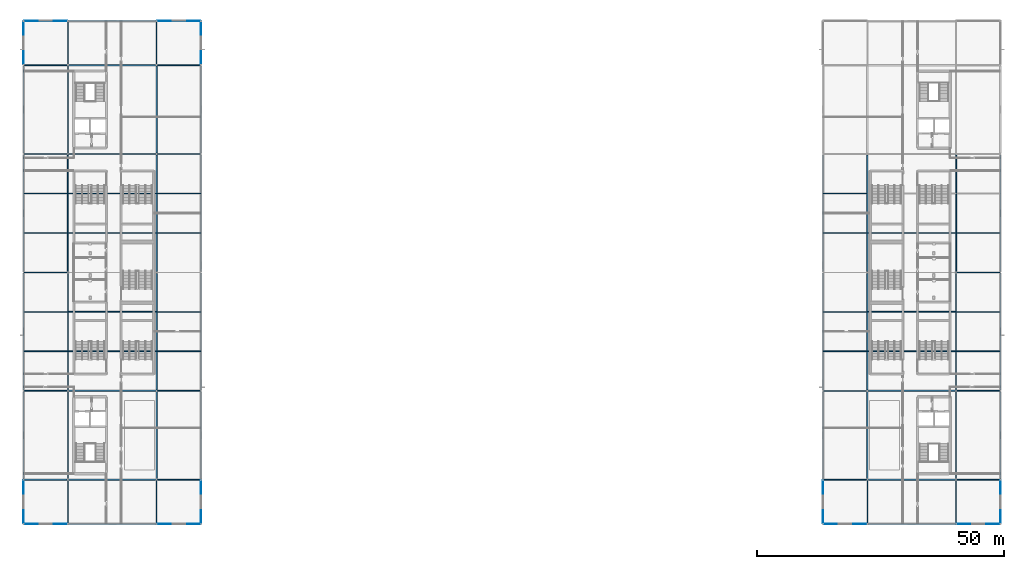
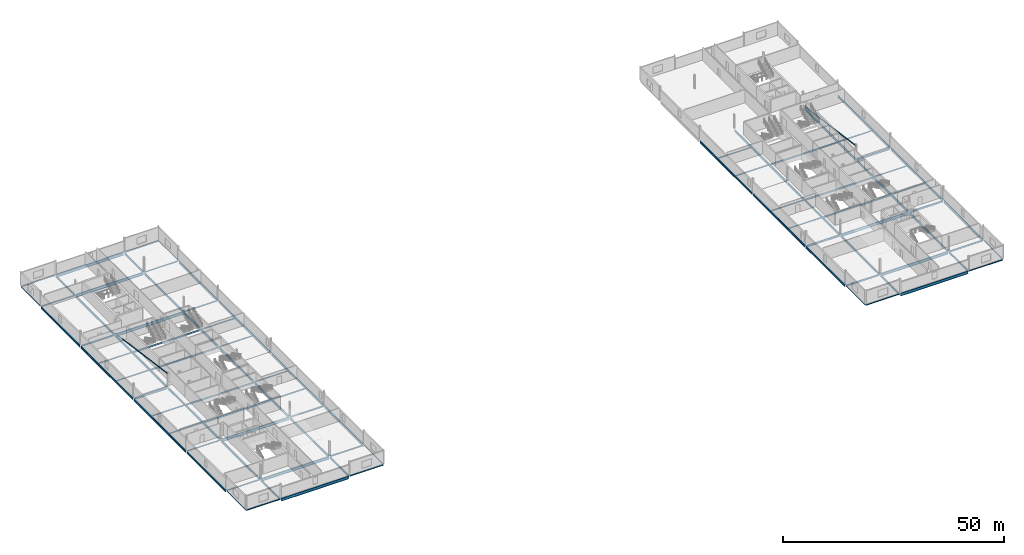
# One storey, part 12 of 31: 91 beams, 2 members.
"""IFC4 building model written with IfcOpenShell, lengths in metres."""

from ifc_helpers import new_model, si_unit, direction, frame, origin, origin_2d, place, context, subcontext, project, spatial, hollow_rectangle, hollow_circle, i_section, extrude, material, material_profile, profile_set, type_object, element, save


model = new_model("IFC4")

# Units and contexts
model_context = context("Model", 3, precision=1e-05, world=origin(), true_north=direction((0.0, 1.0)))
body_context = subcontext(model_context, "Body", "Model", "MODEL_VIEW")
ifc_project = project(units=[si_unit("LENGTHUNIT", "METRE"), si_unit("AREAUNIT", "SQUARE_METRE"), si_unit("VOLUMEUNIT", "CUBIC_METRE"), si_unit("PLANEANGLEUNIT", "RADIAN"), si_unit("MASSUNIT", "GRAM", prefix="KILO")], contexts=[model_context])

# Site, building, storey
site_placement = place(None, origin())
site = spatial("IfcSite", under=ifc_project, at=site_placement, CompositionType="ELEMENT")
building_placement = place(site_placement, origin())
building = spatial("IfcBuilding", under=site, at=building_placement, Name="Kisiwana Market Hall", CompositionType="ELEMENT")
storey_placement = place(building_placement, frame((0.0, 0.0, 45.60009765625)))
storey = spatial("IfcBuildingStorey", under=building, at=storey_placement, Name="L10", CompositionType="ELEMENT", Elevation=45.60009765625)

# Beams
ifc_material_1 = material(Name="Steel S355", Category="steel")
ifc_material_profile_1 = material_profile(ifc_material_1, i_section(OverallWidth=0.260009765625, OverallDepth=0.260009765625, WebThickness=0.010009765625, FlangeThickness=0.017578125, FilletRadius=0.02392578125, at=origin_2d()), Name="HEB 260")
ifc_profile_set_1 = profile_set([ifc_material_profile_1], Name="Steel S355")
beam_type_1 = type_object("IfcBeamType", Name="BM-GIRD-HEB260", PredefinedType="BEAM", material=ifc_profile_set_1)
beam_1_placement = place(storey_placement, frame((0.150634765625, 18.0, -0.375), z_axis=(1.0, 0.0, 0.0), x_axis=(0.0, 1.0, 0.0)))
element("IfcBeam", 1, at=beam_1_placement, inside=storey, type_object=beam_type_1, Name="Floor beam B-2390", PredefinedType="BEAM", context=body_context, shape_type="SweptSolid", body=[
    extrude(i_section(OverallWidth=0.260009765625, OverallDepth=0.260009765625, WebThickness=0.010009765625, FlangeThickness=0.017578125, FilletRadius=0.02392578125, at=origin_2d()), origin(), (0.0, 0.0, 1.0), 8.696044921875),
])
ifc_material_2 = material(Name="Steel S355", Category="steel")
ifc_material_profile_2 = material_profile(ifc_material_2, i_section(OverallWidth=0.199951171875, OverallDepth=0.5, WebThickness=0.01025390625, FlangeThickness=0.01611328125, FilletRadius=0.02099609375, at=origin_2d()), Name="IPE 500")
ifc_profile_set_2 = profile_set([ifc_material_profile_2], Name="Steel S355")
beam_type_2 = type_object("IfcBeamType", Name="BM-GIRD-IPE500", PredefinedType="BEAM", material=ifc_profile_set_2)
beam_2_placement = place(storey_placement, frame((189.1533203125, 36.0, -0.4951171875), z_axis=(1.0, 0.0, 0.0), x_axis=(0.0, 1.0, 0.0)))
element("IfcBeam", 2, at=beam_2_placement, inside=storey, type_object=beam_type_2, Name="Floor beam B-2401", PredefinedType="BEAM", context=body_context, shape_type="SweptSolid", body=[
    extrude(i_section(OverallWidth=0.199951171875, OverallDepth=0.5, WebThickness=0.01025390625, FlangeThickness=0.01611328125, FilletRadius=0.02099609375, at=origin_2d()), origin(), (0.0, 0.0, 1.0), 8.696044921875),
])
ifc_material_3 = material(Name="Steel S355", Category="steel")
ifc_material_profile_3 = material_profile(ifc_material_3, i_section(OverallWidth=0.19140625, OverallDepth=0.4599609375, WebThickness=0.010009765625, FlangeThickness=0.01611328125, at=origin_2d()), Name="UB 457x191x82")
ifc_profile_set_3 = profile_set([ifc_material_profile_3], Name="Steel S355")
beam_type_3 = type_object("IfcBeamType", Name="BM-GIRD-UB082", PredefinedType="BEAM", material=ifc_profile_set_3)
beam_3_placement = place(storey_placement, frame((189.1533203125, 18.0, -0.47509765625), z_axis=(1.0, 0.0, 0.0), x_axis=(0.0, 1.0, 0.0)))
element("IfcBeam", 3, at=beam_3_placement, inside=storey, type_object=beam_type_3, Name="Floor beam B-2395", PredefinedType="BEAM", context=body_context, shape_type="SweptSolid", body=[
    extrude(i_section(OverallWidth=0.19140625, OverallDepth=0.4599609375, WebThickness=0.010009765625, FlangeThickness=0.01611328125, at=origin_2d()), origin(), (0.0, 0.0, 1.0), 8.696044921875),
])
ifc_material_4 = material(Name="Steel S355", Category="steel")
ifc_material_profile_4 = material_profile(ifc_material_4, i_section(OverallWidth=0.210693359375, OverallDepth=0.53955078125, WebThickness=0.01171875, FlangeThickness=0.018798828125, FilletRadius=0.0126953125, at=origin_2d()), Name="UB 533x210x109")
ifc_profile_set_4 = profile_set([ifc_material_profile_4], Name="Steel S355")
beam_type_4 = type_object("IfcBeamType", Name="BM-GIRD-UB109", PredefinedType="BEAM", material=ifc_profile_set_4)
beam_4_placement = place(storey_placement, frame((162.150634765625, 36.0, -0.514892578125), z_axis=(1.0, 0.0, 0.0), x_axis=(0.0, 1.0, 0.0)))
element("IfcBeam", 4, at=beam_4_placement, inside=storey, type_object=beam_type_4, Name="Floor beam B-2399", PredefinedType="BEAM", context=body_context, shape_type="SweptSolid", body=[
    extrude(i_section(OverallWidth=0.210693359375, OverallDepth=0.53955078125, WebThickness=0.01171875, FlangeThickness=0.018798828125, FilletRadius=0.0126953125, at=origin_2d()), origin(), (0.0, 0.0, 1.0), 8.696044921875),
])
ifc_material_5 = material(Name="Steel S355", Category="steel")
ifc_material_profile_5 = material_profile(ifc_material_5, i_section(OverallWidth=0.19140625, OverallDepth=0.4599609375, WebThickness=0.010009765625, FlangeThickness=0.01611328125, at=origin_2d()), Name="UB 457x191x82")
ifc_profile_set_5 = profile_set([ifc_material_profile_5], Name="Steel S355")
beam_type_5 = type_object("IfcBeamType", Name="BM-GIRD-UB457H", PredefinedType="BEAM", material=ifc_profile_set_5)
beam_5_placement = place(storey_placement, frame((162.150634765625, 18.0, -0.47509765625), z_axis=(1.0, 0.0, 0.0), x_axis=(0.0, 1.0, 0.0)))
element("IfcBeam", 5, at=beam_5_placement, inside=storey, type_object=beam_type_5, Name="Floor beam B-2393", PredefinedType="BEAM", context=body_context, shape_type="SweptSolid", body=[
    extrude(i_section(OverallWidth=0.19140625, OverallDepth=0.4599609375, WebThickness=0.010009765625, FlangeThickness=0.01611328125, at=origin_2d()), origin(), (0.0, 0.0, 1.0), 8.696044921875),
])
ifc_material_6 = material(Name="Steel S355", Category="steel")
ifc_material_profile_6 = material_profile(ifc_material_6, i_section(OverallWidth=0.209228515625, OverallDepth=0.533203125, WebThickness=0.010009765625, FlangeThickness=0.015625, at=origin_2d()), Name="UB 533x210x92")
ifc_profile_set_6 = profile_set([ifc_material_profile_6], Name="Steel S355")
beam_type_6 = type_object("IfcBeamType", Name="BM-GIRD-UB533", PredefinedType="BEAM", material=ifc_profile_set_6)
for number, where, z_axis, x_axis, name in (
    (6, (0.150634765625, 60.0, -0.51171875), (1.0, 0.0, 0.0), (0.0, 1.0, 0.0), "Primary girder B-2334"),
    (7, (189.1533203125, 60.0, -0.51171875), (1.0, 0.0, 0.0), (0.0, 1.0, 0.0), "Primary girder B-2335"),
):
    element("IfcBeam", number, at=place(storey_placement, frame(where, z_axis=z_axis, x_axis=x_axis)), inside=storey, type_object=beam_type_6, Name=name, PredefinedType="BEAM", context=body_context, shape_type="SweptSolid", body=[
        extrude(i_section(OverallWidth=0.209228515625, OverallDepth=0.533203125, WebThickness=0.010009765625, FlangeThickness=0.015625, at=origin_2d()), origin(), (0.0, 0.0, 1.0), 8.696044921875),
    ])
for number, where, z_axis, x_axis, name in (
    (8, (9.0, 9.166015625, -0.51171875), (0.0, 1.0, 0.0), (-1.0, 0.0, 0.0), "Primary girder B-2336"),
    (9, (9.0, 102.166015625, -0.51171875), (0.0, 1.0, 0.0), (-1.0, 0.0, 0.0), "Primary girder B-2341"),
    (10, (27.0, 9.166015625, -0.51171875), (0.0, 1.0, 0.0), (-1.0, 0.0, 0.0), "Primary girder B-2342"),
    (11, (27.0, 102.166015625, -0.51171875), (0.0, 1.0, 0.0), (-1.0, 0.0, 0.0), "Primary girder B-2345"),
    (12, (171.0, 9.166015625, -0.51171875), (0.0, 1.0, 0.0), (-1.0, 0.0, 0.0), "Primary girder B-2350"),
    (13, (189.0, 9.166015625, -0.51171875), (0.0, 1.0, 0.0), (-1.0, 0.0, 0.0), "Primary girder B-2354"),
):
    element("IfcBeam", number, at=place(storey_placement, frame(where, z_axis=z_axis, x_axis=x_axis)), inside=storey, type_object=beam_type_6, Name=name, PredefinedType="BEAM", context=body_context, shape_type="SweptSolid", body=[
        extrude(i_section(OverallWidth=0.209228515625, OverallDepth=0.533203125, WebThickness=0.010009765625, FlangeThickness=0.015625, at=origin_2d()), origin(), (0.0, 0.0, 1.0), 8.66796875),
    ])
ifc_material_7 = material(Name="Steel S355", Category="steel")
ifc_material_profile_7 = material_profile(ifc_material_7, i_section(OverallWidth=0.22900390625, OverallDepth=0.6123046875, WebThickness=0.011962890625, FlangeThickness=0.01953125, at=origin_2d()), Name="UB 610x229x125")
ifc_profile_set_7 = profile_set([ifc_material_profile_7], Name="Steel S355")
beam_type_7 = type_object("IfcBeamType", Name="BM-GIRD-UB610H", PredefinedType="BEAM", material=ifc_profile_set_7)
beam_6_placement = place(storey_placement, frame((0.0, 18.15625, -0.55126953125), z_axis=(0.0, 1.0, 0.0), x_axis=(-1.0, 0.0, 0.0)))
element("IfcBeam", 14, at=beam_6_placement, inside=storey, type_object=beam_type_7, Name="Floor beam B-2421", PredefinedType="BEAM", context=body_context, shape_type="SweptSolid", body=[
    extrude(i_section(OverallWidth=0.22900390625, OverallDepth=0.6123046875, WebThickness=0.011962890625, FlangeThickness=0.01953125, at=origin_2d()), origin(), (0.0, 0.0, 1.0), 17.6875),
])
for number, where, z_axis, x_axis, name in (
    (15, (0.0, 36.15625, -0.55126953125), (0.0, 1.0, 0.0), (-1.0, 0.0, 0.0), "Floor beam B-2422"),
    (16, (0.0, 60.15625, -0.55126953125), (0.0, 1.0, 0.0), (-1.0, 0.0, 0.0), "Floor beam B-2423"),
):
    element("IfcBeam", number, at=place(storey_placement, frame(where, z_axis=z_axis, x_axis=x_axis)), inside=storey, type_object=beam_type_7, Name=name, PredefinedType="BEAM", context=body_context, shape_type="SweptSolid", body=[
        extrude(i_section(OverallWidth=0.22900390625, OverallDepth=0.6123046875, WebThickness=0.011962890625, FlangeThickness=0.01953125, at=origin_2d()), origin(), (0.0, 0.0, 1.0), 23.6875),
    ])
beam_7_placement = place(storey_placement, frame((0.0, 84.15625, -0.55126953125), z_axis=(0.0, 1.0, 0.0), x_axis=(-1.0, 0.0, 0.0)))
element("IfcBeam", 17, at=beam_7_placement, inside=storey, type_object=beam_type_7, Name="Floor beam B-2424", PredefinedType="BEAM", context=body_context, shape_type="SweptSolid", body=[
    extrude(i_section(OverallWidth=0.22900390625, OverallDepth=0.6123046875, WebThickness=0.011962890625, FlangeThickness=0.01953125, at=origin_2d()), origin(), (0.0, 0.0, 1.0), 17.6875),
])
for number, where, z_axis, x_axis, name in (
    (18, (27.0, 36.166015625, -0.55126953125), (0.0, 1.0, 0.0), (-1.0, 0.0, 0.0), "Floor beam B-2426"),
    (19, (27.0, 60.166015625, -0.55126953125), (0.0, 1.0, 0.0), (-1.0, 0.0, 0.0), "Floor beam B-2427"),
):
    element("IfcBeam", number, at=place(storey_placement, frame(where, z_axis=z_axis, x_axis=x_axis)), inside=storey, type_object=beam_type_7, Name=name, PredefinedType="BEAM", context=body_context, shape_type="SweptSolid", body=[
        extrude(i_section(OverallWidth=0.22900390625, OverallDepth=0.6123046875, WebThickness=0.011962890625, FlangeThickness=0.01953125, at=origin_2d()), origin(), (0.0, 0.0, 1.0), 23.66796875),
    ])
for number, where, z_axis, x_axis, name in (
    (20, (36.0, 18.15625, -0.55126953125), (0.0, 1.0, 0.0), (-1.0, 0.0, 0.0), "Floor beam B-2429"),
    (21, (36.0, 84.15625, -0.55126953125), (0.0, 1.0, 0.0), (-1.0, 0.0, 0.0), "Floor beam B-2430"),
    (22, (162.0, 18.15625, -0.55126953125), (0.0, 1.0, 0.0), (-1.0, 0.0, 0.0), "Floor beam B-2433"),
):
    element("IfcBeam", number, at=place(storey_placement, frame(where, z_axis=z_axis, x_axis=x_axis)), inside=storey, type_object=beam_type_7, Name=name, PredefinedType="BEAM", context=body_context, shape_type="SweptSolid", body=[
        extrude(i_section(OverallWidth=0.22900390625, OverallDepth=0.6123046875, WebThickness=0.011962890625, FlangeThickness=0.01953125, at=origin_2d()), origin(), (0.0, 0.0, 1.0), 17.6875),
    ])
for number, where, z_axis, x_axis, name in (
    (23, (171.0, 36.166015625, -0.55126953125), (0.0, 1.0, 0.0), (-1.0, 0.0, 0.0), "Floor beam B-2436"),
    (24, (171.0, 60.166015625, -0.55126953125), (0.0, 1.0, 0.0), (-1.0, 0.0, 0.0), "Floor beam B-2437"),
):
    element("IfcBeam", number, at=place(storey_placement, frame(where, z_axis=z_axis, x_axis=x_axis)), inside=storey, type_object=beam_type_7, Name=name, PredefinedType="BEAM", context=body_context, shape_type="SweptSolid", body=[
        extrude(i_section(OverallWidth=0.22900390625, OverallDepth=0.6123046875, WebThickness=0.011962890625, FlangeThickness=0.01953125, at=origin_2d()), origin(), (0.0, 0.0, 1.0), 23.66796875),
    ])
beam_8_placement = place(storey_placement, frame((198.0, 18.15625, -0.55126953125), z_axis=(0.0, 1.0, 0.0), x_axis=(-1.0, 0.0, 0.0)))
element("IfcBeam", 25, at=beam_8_placement, inside=storey, type_object=beam_type_7, Name="Floor beam B-2439", PredefinedType="BEAM", context=body_context, shape_type="SweptSolid", body=[
    extrude(i_section(OverallWidth=0.22900390625, OverallDepth=0.6123046875, WebThickness=0.011962890625, FlangeThickness=0.01953125, at=origin_2d()), origin(), (0.0, 0.0, 1.0), 17.6875),
])
for number, where, z_axis, x_axis, name in (
    (26, (198.0, 36.15625, -0.55126953125), (0.0, 1.0, 0.0), (-1.0, 0.0, 0.0), "Floor beam B-2440"),
    (27, (198.0, 60.15625, -0.55126953125), (0.0, 1.0, 0.0), (-1.0, 0.0, 0.0), "Floor beam B-2441"),
):
    element("IfcBeam", number, at=place(storey_placement, frame(where, z_axis=z_axis, x_axis=x_axis)), inside=storey, type_object=beam_type_7, Name=name, PredefinedType="BEAM", context=body_context, shape_type="SweptSolid", body=[
        extrude(i_section(OverallWidth=0.22900390625, OverallDepth=0.6123046875, WebThickness=0.011962890625, FlangeThickness=0.01953125, at=origin_2d()), origin(), (0.0, 0.0, 1.0), 23.6875),
    ])
beam_9_placement = place(storey_placement, frame((9.0, 18.166015625, -0.55126953125), z_axis=(0.0, 1.0, 0.0), x_axis=(-1.0, 0.0, 0.0)))
element("IfcBeam", 28, at=beam_9_placement, inside=storey, type_object=beam_type_7, Name="Primary girder B-2337", PredefinedType="BEAM", context=body_context, shape_type="SweptSolid", body=[
    extrude(i_section(OverallWidth=0.22900390625, OverallDepth=0.6123046875, WebThickness=0.011962890625, FlangeThickness=0.01953125, at=origin_2d()), origin(), (0.0, 0.0, 1.0), 17.66796875),
])
for number, where, z_axis, x_axis, name in (
    (29, (9.0, 36.166015625, -0.55126953125), (0.0, 1.0, 0.0), (-1.0, 0.0, 0.0), "Primary girder B-2338"),
    (30, (9.0, 60.166015625, -0.55126953125), (0.0, 1.0, 0.0), (-1.0, 0.0, 0.0), "Primary girder B-2339"),
):
    element("IfcBeam", number, at=place(storey_placement, frame(where, z_axis=z_axis, x_axis=x_axis)), inside=storey, type_object=beam_type_7, Name=name, PredefinedType="BEAM", context=body_context, shape_type="SweptSolid", body=[
        extrude(i_section(OverallWidth=0.22900390625, OverallDepth=0.6123046875, WebThickness=0.011962890625, FlangeThickness=0.01953125, at=origin_2d()), origin(), (0.0, 0.0, 1.0), 23.66796875),
    ])
for number, where, z_axis, x_axis, name in (
    (31, (9.0, 84.166015625, -0.55126953125), (0.0, 1.0, 0.0), (-1.0, 0.0, 0.0), "Primary girder B-2340"),
    (32, (27.0, 18.166015625, -0.55126953125), (0.0, 1.0, 0.0), (-1.0, 0.0, 0.0), "Primary girder B-2343"),
    (33, (27.0, 84.166015625, -0.55126953125), (0.0, 1.0, 0.0), (-1.0, 0.0, 0.0), "Primary girder B-2344"),
):
    element("IfcBeam", number, at=place(storey_placement, frame(where, z_axis=z_axis, x_axis=x_axis)), inside=storey, type_object=beam_type_7, Name=name, PredefinedType="BEAM", context=body_context, shape_type="SweptSolid", body=[
        extrude(i_section(OverallWidth=0.22900390625, OverallDepth=0.6123046875, WebThickness=0.011962890625, FlangeThickness=0.01953125, at=origin_2d()), origin(), (0.0, 0.0, 1.0), 17.66796875),
    ])
for number, where, z_axis, x_axis, name in (
    (34, (36.0, 36.15625, -0.55126953125), (0.0, 1.0, 0.0), (-1.0, 0.0, 0.0), "Primary girder B-2346"),
    (35, (36.0, 60.15625, -0.55126953125), (0.0, 1.0, 0.0), (-1.0, 0.0, 0.0), "Primary girder B-2347"),
    (36, (162.0, 36.15625, -0.55126953125), (0.0, 1.0, 0.0), (-1.0, 0.0, 0.0), "Primary girder B-2348"),
    (37, (162.0, 60.15625, -0.55126953125), (0.0, 1.0, 0.0), (-1.0, 0.0, 0.0), "Primary girder B-2349"),
):
    element("IfcBeam", number, at=place(storey_placement, frame(where, z_axis=z_axis, x_axis=x_axis)), inside=storey, type_object=beam_type_7, Name=name, PredefinedType="BEAM", context=body_context, shape_type="SweptSolid", body=[
        extrude(i_section(OverallWidth=0.22900390625, OverallDepth=0.6123046875, WebThickness=0.011962890625, FlangeThickness=0.01953125, at=origin_2d()), origin(), (0.0, 0.0, 1.0), 23.6875),
    ])
for number, where, z_axis, x_axis, name in (
    (38, (171.0, 18.166015625, -0.55126953125), (0.0, 1.0, 0.0), (-1.0, 0.0, 0.0), "Primary girder B-2351"),
    (39, (189.0, 18.166015625, -0.55126953125), (0.0, 1.0, 0.0), (-1.0, 0.0, 0.0), "Primary girder B-2355"),
):
    element("IfcBeam", number, at=place(storey_placement, frame(where, z_axis=z_axis, x_axis=x_axis)), inside=storey, type_object=beam_type_7, Name=name, PredefinedType="BEAM", context=body_context, shape_type="SweptSolid", body=[
        extrude(i_section(OverallWidth=0.22900390625, OverallDepth=0.6123046875, WebThickness=0.011962890625, FlangeThickness=0.01953125, at=origin_2d()), origin(), (0.0, 0.0, 1.0), 17.66796875),
    ])
for number, where, z_axis, x_axis, name in (
    (40, (189.0, 36.166015625, -0.55126953125), (0.0, 1.0, 0.0), (-1.0, 0.0, 0.0), "Primary girder B-2356"),
    (41, (189.0, 60.166015625, -0.55126953125), (0.0, 1.0, 0.0), (-1.0, 0.0, 0.0), "Primary girder B-2357"),
):
    element("IfcBeam", number, at=place(storey_placement, frame(where, z_axis=z_axis, x_axis=x_axis)), inside=storey, type_object=beam_type_7, Name=name, PredefinedType="BEAM", context=body_context, shape_type="SweptSolid", body=[
        extrude(i_section(OverallWidth=0.22900390625, OverallDepth=0.6123046875, WebThickness=0.011962890625, FlangeThickness=0.01953125, at=origin_2d()), origin(), (0.0, 0.0, 1.0), 23.66796875),
    ])
ifc_material_8 = material(Name="Steel S355", Category="steel")
ifc_material_profile_8 = material_profile(ifc_material_8, i_section(OverallWidth=0.2666015625, OverallDepth=0.76220703125, WebThickness=0.014404296875, FlangeThickness=0.021484375, at=origin_2d()), Name="UB 762x267x173")
ifc_profile_set_8 = profile_set([ifc_material_profile_8], Name="Steel S355")
beam_type_8 = type_object("IfcBeamType", Name="BM-GIRD-UB762", PredefinedType="BEAM", material=ifc_profile_set_8)
for number, where, z_axis, x_axis, name in (
    (42, (9.1533203125, 9.0, -0.626220703125), (1.0, 0.0, 0.0), (0.0, 1.0, 0.0), "Floor beam B-2385"),
    (43, (171.1533203125, 9.0, -0.626220703125), (1.0, 0.0, 0.0), (0.0, 1.0, 0.0), "Floor beam B-2388"),
    (44, (9.1533203125, 18.0, -0.626220703125), (1.0, 0.0, 0.0), (0.0, 1.0, 0.0), "Floor beam B-2391"),
    (45, (171.1533203125, 18.0, -0.626220703125), (1.0, 0.0, 0.0), (0.0, 1.0, 0.0), "Floor beam B-2394"),
    (46, (9.1533203125, 36.0, -0.626220703125), (1.0, 0.0, 0.0), (0.0, 1.0, 0.0), "Floor beam B-2397"),
    (47, (171.1533203125, 36.0, -0.626220703125), (1.0, 0.0, 0.0), (0.0, 1.0, 0.0), "Floor beam B-2400"),
    (48, (9.1533203125, 84.0, -0.626220703125), (1.0, 0.0, 0.0), (0.0, 1.0, 0.0), "Floor beam B-2403"),
    (49, (9.1533203125, 102.0, -0.626220703125), (1.0, 0.0, 0.0), (0.0, 1.0, 0.0), "Floor beam B-2409"),
    (50, (9.1533203125, 111.0, -0.626220703125), (1.0, 0.0, 0.0), (0.0, 1.0, 0.0), "Floor beam B-2415"),
):
    element("IfcBeam", number, at=place(storey_placement, frame(where, z_axis=z_axis, x_axis=x_axis)), inside=storey, type_object=beam_type_8, Name=name, PredefinedType="BEAM", context=body_context, shape_type="SweptSolid", body=[
        extrude(i_section(OverallWidth=0.2666015625, OverallDepth=0.76220703125, WebThickness=0.014404296875, FlangeThickness=0.021484375, at=origin_2d()), origin(), (0.0, 0.0, 1.0), 17.693359375),
    ])
ifc_material_9 = material(Name="Steel S355", Category="steel")
ifc_material_profile_9 = material_profile(ifc_material_9, i_section(OverallWidth=0.135009765625, OverallDepth=0.27001953125, WebThickness=0.006591796875, FlangeThickness=0.01025390625, FilletRadius=0.014892578125, at=origin_2d()), Name="IPE 270")
ifc_profile_set_9 = profile_set([ifc_material_profile_9], Name="Steel S355")
beam_type_9 = type_object("IfcBeamType", Name="BM-JOIST-IPE270", PredefinedType="JOIST", material=ifc_profile_set_9)
beam_10_placement = place(storey_placement, frame((27.1533203125, 18.0, -0.380126953125), z_axis=(1.0, 0.0, 0.0), x_axis=(0.0, 1.0, 0.0)))
element("IfcBeam", 51, at=beam_10_placement, inside=storey, type_object=beam_type_9, Name="Floor beam B-2392", PredefinedType="JOIST", context=body_context, shape_type="SweptSolid", body=[
    extrude(i_section(OverallWidth=0.135009765625, OverallDepth=0.27001953125, WebThickness=0.006591796875, FlangeThickness=0.01025390625, FilletRadius=0.014892578125, at=origin_2d()), origin(), (0.0, 0.0, 1.0), 8.696044921875),
])
ifc_material_10 = material(Name="Steel S355", Category="steel")
ifc_material_profile_10 = material_profile(ifc_material_10, i_section(OverallWidth=0.159912109375, OverallDepth=0.330078125, WebThickness=0.007568359375, FlangeThickness=0.011474609375, FilletRadius=0.01806640625, at=origin_2d()), Name="IPE 330")
ifc_profile_set_10 = profile_set([ifc_material_profile_10], Name="Steel S355")
beam_type_10 = type_object("IfcBeamType", Name="BM-JOIST-IPE330", PredefinedType="JOIST", material=ifc_profile_set_10)
beam_11_placement = place(storey_placement, frame((0.150634765625, 36.0, -0.41015625), z_axis=(1.0, 0.0, 0.0), x_axis=(0.0, 1.0, 0.0)))
element("IfcBeam", 52, at=beam_11_placement, inside=storey, type_object=beam_type_10, Name="Floor beam B-2396", PredefinedType="JOIST", context=body_context, shape_type="SweptSolid", body=[
    extrude(i_section(OverallWidth=0.159912109375, OverallDepth=0.330078125, WebThickness=0.007568359375, FlangeThickness=0.011474609375, FilletRadius=0.01806640625, at=origin_2d()), origin(), (0.0, 0.0, 1.0), 8.696044921875),
])
ifc_material_11 = material(Name="Steel S355", Category="steel")
ifc_material_profile_11 = material_profile(ifc_material_11, i_section(OverallWidth=0.1650390625, OverallDepth=0.303466796875, WebThickness=0.006103515625, FlangeThickness=0.01025390625, at=origin_2d()), Name="UB 305x165x40")
ifc_profile_set_11 = profile_set([ifc_material_profile_11], Name="Steel S355")
beam_type_11 = type_object("IfcBeamType", Name="BM-JOIST-UB040", PredefinedType="JOIST", material=ifc_profile_set_11)
beam_12_placement = place(storey_placement, frame((27.1533203125, 102.0, -0.396728515625), z_axis=(1.0, 0.0, 0.0), x_axis=(0.0, 1.0, 0.0)))
element("IfcBeam", 53, at=beam_12_placement, inside=storey, type_object=beam_type_11, Name="Floor beam B-2410", PredefinedType="JOIST", context=body_context, shape_type="SweptSolid", body=[
    extrude(i_section(OverallWidth=0.1650390625, OverallDepth=0.303466796875, WebThickness=0.006103515625, FlangeThickness=0.01025390625, at=origin_2d()), origin(), (0.0, 0.0, 1.0), 8.696044921875),
])
ifc_material_12 = material(Name="Steel S355", Category="steel")
ifc_material_profile_12 = material_profile(ifc_material_12, i_section(OverallWidth=0.1708984375, OverallDepth=0.351318359375, WebThickness=0.007080078125, FlangeThickness=0.009765625, FilletRadius=0.01025390625, at=origin_2d()), Name="UB 356x171x45")
ifc_profile_set_12 = profile_set([ifc_material_profile_12], Name="Steel S355")
beam_type_12 = type_object("IfcBeamType", Name="BM-JOIST-UB045", PredefinedType="JOIST", material=ifc_profile_set_12)
beam_13_placement = place(storey_placement, frame((0.150634765625, 102.0, -0.4208984375), z_axis=(1.0, 0.0, 0.0), x_axis=(0.0, 1.0, 0.0)))
element("IfcBeam", 54, at=beam_13_placement, inside=storey, type_object=beam_type_12, Name="Floor beam B-2408", PredefinedType="JOIST", context=body_context, shape_type="SweptSolid", body=[
    extrude(i_section(OverallWidth=0.1708984375, OverallDepth=0.351318359375, WebThickness=0.007080078125, FlangeThickness=0.009765625, FilletRadius=0.01025390625, at=origin_2d()), origin(), (0.0, 0.0, 1.0), 8.696044921875),
])
ifc_material_13 = material(Name="Steel S355", Category="steel")
ifc_material_profile_13 = material_profile(ifc_material_13, i_section(OverallWidth=0.177978515625, OverallDepth=0.406494140625, WebThickness=0.0078125, FlangeThickness=0.0126953125, FilletRadius=0.01025390625, at=origin_2d()), Name="UB 406x178x60")
ifc_profile_set_13 = profile_set([ifc_material_profile_13], Name="Steel S355")
beam_type_13 = type_object("IfcBeamType", Name="BM-JOIST-UB060", PredefinedType="JOIST", material=ifc_profile_set_13)
beam_14_placement = place(storey_placement, frame((0.150634765625, 84.0, -0.4482421875), z_axis=(1.0, 0.0, 0.0), x_axis=(0.0, 1.0, 0.0)))
element("IfcBeam", 55, at=beam_14_placement, inside=storey, type_object=beam_type_13, Name="Floor beam B-2402", PredefinedType="JOIST", context=body_context, shape_type="SweptSolid", body=[
    extrude(i_section(OverallWidth=0.177978515625, OverallDepth=0.406494140625, WebThickness=0.0078125, FlangeThickness=0.0126953125, FilletRadius=0.01025390625, at=origin_2d()), origin(), (0.0, 0.0, 1.0), 8.696044921875),
])
ifc_material_14 = material(Name="Steel S355", Category="steel")
ifc_material_profile_14 = material_profile(ifc_material_14, i_section(OverallWidth=0.165771484375, OverallDepth=0.306640625, WebThickness=0.006591796875, FlangeThickness=0.01171875, at=origin_2d()), Name="UB 305x165x46")
ifc_profile_set_14 = profile_set([ifc_material_profile_14], Name="Steel S355")
beam_type_14 = type_object("IfcBeamType", Name="BM-JOIST-UB305H", PredefinedType="JOIST", material=ifc_profile_set_14)
beam_15_placement = place(storey_placement, frame((27.1533203125, 84.0, -0.3984375), z_axis=(1.0, 0.0, 0.0), x_axis=(0.0, 1.0, 0.0)))
element("IfcBeam", 56, at=beam_15_placement, inside=storey, type_object=beam_type_14, Name="Floor beam B-2404", PredefinedType="JOIST", context=body_context, shape_type="SweptSolid", body=[
    extrude(i_section(OverallWidth=0.165771484375, OverallDepth=0.306640625, WebThickness=0.006591796875, FlangeThickness=0.01171875, at=origin_2d()), origin(), (0.0, 0.0, 1.0), 8.696044921875),
])
for number, where, z_axis, x_axis, name in (
    (57, (0.113525390625, 44.0, -0.3984375), (1.0, 0.0, 0.0), (0.0, 1.0, 0.0), "Secondary floor joist B-2360"),
    (58, (27.113525390625, 44.0, -0.3984375), (1.0, 0.0, 0.0), (0.0, 1.0, 0.0), "Secondary floor joist B-2362"),
    (59, (162.113525390625, 44.0, -0.3984375), (1.0, 0.0, 0.0), (0.0, 1.0, 0.0), "Secondary floor joist B-2363"),
    (60, (189.113525390625, 44.0, -0.3984375), (1.0, 0.0, 0.0), (0.0, 1.0, 0.0), "Secondary floor joist B-2365"),
    (61, (0.113525390625, 52.0, -0.3984375), (1.0, 0.0, 0.0), (0.0, 1.0, 0.0), "Secondary floor joist B-2366"),
    (62, (27.113525390625, 52.0, -0.3984375), (1.0, 0.0, 0.0), (0.0, 1.0, 0.0), "Secondary floor joist B-2368"),
    (63, (162.113525390625, 52.0, -0.3984375), (1.0, 0.0, 0.0), (0.0, 1.0, 0.0), "Secondary floor joist B-2369"),
    (64, (189.113525390625, 52.0, -0.3984375), (1.0, 0.0, 0.0), (0.0, 1.0, 0.0), "Secondary floor joist B-2371"),
    (65, (0.113525390625, 68.0, -0.3984375), (1.0, 0.0, 0.0), (0.0, 1.0, 0.0), "Secondary floor joist B-2372"),
    (66, (27.113525390625, 68.0, -0.3984375), (1.0, 0.0, 0.0), (0.0, 1.0, 0.0), "Secondary floor joist B-2374"),
    (67, (162.113525390625, 68.0, -0.3984375), (1.0, 0.0, 0.0), (0.0, 1.0, 0.0), "Secondary floor joist B-2375"),
    (68, (189.113525390625, 68.0, -0.3984375), (1.0, 0.0, 0.0), (0.0, 1.0, 0.0), "Secondary floor joist B-2377"),
    (69, (0.113525390625, 76.0, -0.3984375), (1.0, 0.0, 0.0), (0.0, 1.0, 0.0), "Secondary floor joist B-2378"),
    (70, (27.113525390625, 76.0, -0.3984375), (1.0, 0.0, 0.0), (0.0, 1.0, 0.0), "Secondary floor joist B-2380"),
    (71, (162.113525390625, 76.0, -0.3984375), (1.0, 0.0, 0.0), (0.0, 1.0, 0.0), "Secondary floor joist B-2381"),
):
    element("IfcBeam", number, at=place(storey_placement, frame(where, z_axis=z_axis, x_axis=x_axis)), inside=storey, type_object=beam_type_14, Name=name, PredefinedType="JOIST", context=body_context, shape_type="SweptSolid", body=[
        extrude(i_section(OverallWidth=0.165771484375, OverallDepth=0.306640625, WebThickness=0.006591796875, FlangeThickness=0.01171875, at=origin_2d()), origin(), (0.0, 0.0, 1.0), 8.77294921875),
    ])
ifc_material_15 = material(Name="Steel S355", Category="steel")
ifc_material_profile_15 = material_profile(ifc_material_15, i_section(OverallWidth=0.1787109375, OverallDepth=0.409423828125, WebThickness=0.0087890625, FlangeThickness=0.014404296875, at=origin_2d()), Name="UB 406x178x67")
ifc_profile_set_15 = profile_set([ifc_material_profile_15], Name="Steel S355")
beam_type_15 = type_object("IfcBeamType", Name="BM-JOIST-UB406H", PredefinedType="JOIST", material=ifc_profile_set_15)
beam_16_placement = place(storey_placement, frame((27.1533203125, 36.0, -0.44970703125), z_axis=(1.0, 0.0, 0.0), x_axis=(0.0, 1.0, 0.0)))
element("IfcBeam", 72, at=beam_16_placement, inside=storey, type_object=beam_type_15, Name="Floor beam B-2398", PredefinedType="JOIST", context=body_context, shape_type="SweptSolid", body=[
    extrude(i_section(OverallWidth=0.1787109375, OverallDepth=0.409423828125, WebThickness=0.0087890625, FlangeThickness=0.014404296875, at=origin_2d()), origin(), (0.0, 0.0, 1.0), 8.696044921875),
])
ifc_material_16 = material(Name="Steel S355", Category="steel")
ifc_material_profile_16 = material_profile(ifc_material_16, i_section(OverallWidth=0.18994140625, OverallDepth=0.453369140625, WebThickness=0.008544921875, FlangeThickness=0.0126953125, at=origin_2d()), Name="UB 457x191x67")
ifc_profile_set_16 = profile_set([ifc_material_profile_16], Name="Steel S355")
beam_type_16 = type_object("IfcBeamType", Name="BM-JOIST-UB457", PredefinedType="JOIST", material=ifc_profile_set_16)
for number, where, z_axis, x_axis, name in (
    (73, (9.113525390625, 44.0, -0.4716796875), (1.0, 0.0, 0.0), (0.0, 1.0, 0.0), "Secondary floor joist B-2361"),
    (74, (171.113525390625, 44.0, -0.4716796875), (1.0, 0.0, 0.0), (0.0, 1.0, 0.0), "Secondary floor joist B-2364"),
    (75, (9.113525390625, 52.0, -0.4716796875), (1.0, 0.0, 0.0), (0.0, 1.0, 0.0), "Secondary floor joist B-2367"),
    (76, (171.113525390625, 52.0, -0.4716796875), (1.0, 0.0, 0.0), (0.0, 1.0, 0.0), "Secondary floor joist B-2370"),
    (77, (9.113525390625, 68.0, -0.4716796875), (1.0, 0.0, 0.0), (0.0, 1.0, 0.0), "Secondary floor joist B-2373"),
    (78, (171.113525390625, 68.0, -0.4716796875), (1.0, 0.0, 0.0), (0.0, 1.0, 0.0), "Secondary floor joist B-2376"),
    (79, (9.113525390625, 76.0, -0.4716796875), (1.0, 0.0, 0.0), (0.0, 1.0, 0.0), "Secondary floor joist B-2379"),
):
    element("IfcBeam", number, at=place(storey_placement, frame(where, z_axis=z_axis, x_axis=x_axis)), inside=storey, type_object=beam_type_16, Name=name, PredefinedType="JOIST", context=body_context, shape_type="SweptSolid", body=[
        extrude(i_section(OverallWidth=0.18994140625, OverallDepth=0.453369140625, WebThickness=0.008544921875, FlangeThickness=0.0126953125, at=origin_2d()), origin(), (0.0, 0.0, 1.0), 17.77294921875),
    ])
ifc_material_17 = material(Name="Steel S355", Category="steel")
ifc_material_profile_17 = material_profile(ifc_material_17, hollow_rectangle(XDim=0.10009765625, YDim=0.199951171875, WallThickness=0.008056640625, at=origin_2d()), Name="RHS 200x100x8.0")
ifc_profile_set_17 = profile_set([ifc_material_profile_17], Name="Steel S355")
beam_type_17 = type_object("IfcBeamType", Name="BM-SPAN-RHS200", PredefinedType="SPANDREL", material=ifc_profile_set_17)
for number, where, z_axis, x_axis, name in (
    (80, (0.150634765625, 9.0, -0.34521484375), (1.0, 0.0, 0.0), (0.0, 1.0, 0.0), "Floor beam B-2384"),
    (81, (27.1533203125, 9.0, -0.34521484375), (1.0, 0.0, 0.0), (0.0, 1.0, 0.0), "Floor beam B-2386"),
    (82, (162.150634765625, 9.0, -0.34521484375), (1.0, 0.0, 0.0), (0.0, 1.0, 0.0), "Floor beam B-2387"),
    (83, (189.1533203125, 9.0, -0.34521484375), (1.0, 0.0, 0.0), (0.0, 1.0, 0.0), "Floor beam B-2389"),
    (84, (0.150634765625, 111.0, -0.34521484375), (1.0, 0.0, 0.0), (0.0, 1.0, 0.0), "Floor beam B-2414"),
    (85, (27.1533203125, 111.0, -0.34521484375), (1.0, 0.0, 0.0), (0.0, 1.0, 0.0), "Floor beam B-2416"),
):
    element("IfcBeam", number, at=place(storey_placement, frame(where, z_axis=z_axis, x_axis=x_axis)), inside=storey, type_object=beam_type_17, Name=name, PredefinedType="SPANDREL", context=body_context, shape_type="SweptSolid", body=[
        extrude(hollow_rectangle(XDim=0.10009765625, YDim=0.199951171875, WallThickness=0.008056640625, at=origin_2d()), origin(), (0.0, 0.0, 1.0), 8.696044921875),
    ])
for number, where, z_axis, x_axis, name in (
    (86, (0.0, 9.15625, -0.34521484375), (0.0, 1.0, 0.0), (-1.0, 0.0, 0.0), "Floor beam B-2420"),
    (87, (0.0, 102.15625, -0.34521484375), (0.0, 1.0, 0.0), (-1.0, 0.0, 0.0), "Floor beam B-2425"),
    (88, (36.0, 9.15625, -0.34521484375), (0.0, 1.0, 0.0), (-1.0, 0.0, 0.0), "Floor beam B-2428"),
    (89, (36.0, 102.15625, -0.34521484375), (0.0, 1.0, 0.0), (-1.0, 0.0, 0.0), "Floor beam B-2431"),
    (90, (162.0, 9.15625, -0.34521484375), (0.0, 1.0, 0.0), (-1.0, 0.0, 0.0), "Floor beam B-2432"),
    (91, (198.0, 9.15625, -0.34521484375), (0.0, 1.0, 0.0), (-1.0, 0.0, 0.0), "Floor beam B-2438"),
):
    element("IfcBeam", number, at=place(storey_placement, frame(where, z_axis=z_axis, x_axis=x_axis)), inside=storey, type_object=beam_type_17, Name=name, PredefinedType="SPANDREL", context=body_context, shape_type="SweptSolid", body=[
        extrude(hollow_rectangle(XDim=0.10009765625, YDim=0.199951171875, WallThickness=0.008056640625, at=origin_2d()), origin(), (0.0, 0.0, 1.0), 8.6875),
    ])

# Members
ifc_material_18 = material(Name="Steel S355", Category="steel")
ifc_material_profile_18 = material_profile(ifc_material_18, hollow_circle(Radius=0.136474609375, WallThickness=0.012451171875, at=origin_2d()), Name="CHS 273.0x12.5")
ifc_profile_set_18 = profile_set([ifc_material_profile_18], Name="Steel S355")
member_type = type_object("IfcMemberType", Name="MB-CBF-CHS273", PredefinedType="BRACE", material=ifc_profile_set_18)
for number, where, z_axis, x_axis, name in (
    (92, (9.0, 84.0, 0.0), (0.0, -0.990568096945, 0.137021331607), (1.0, 0.0, 0.0), "CBF-W-S diagonal brace (L10) M-0039"),
    (93, (189.0, 84.0, 0.0), (0.0, -0.990568096945, 0.137021331607), (1.0, 0.0, 0.0), "CBF-E-S diagonal brace (L10) M-0040"),
):
    element("IfcMember", number, at=place(storey_placement, frame(where, z_axis=z_axis, x_axis=x_axis)), inside=storey, type_object=member_type, Name=name, PredefinedType="BRACE", context=body_context, shape_type="SweptSolid", body=[
        extrude(hollow_circle(Radius=0.136474609375, WallThickness=0.012451171875, at=origin_2d()), origin(), (0.0, 0.0, 1.0), 24.228515625),
    ])

save(model, "model.ifc")
